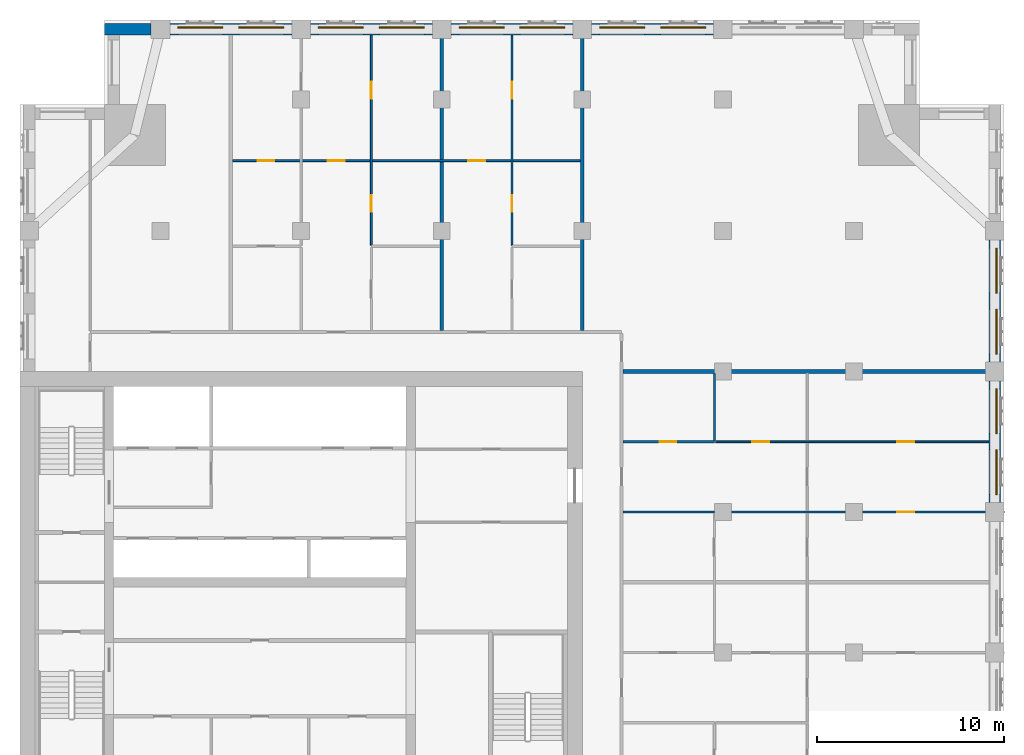
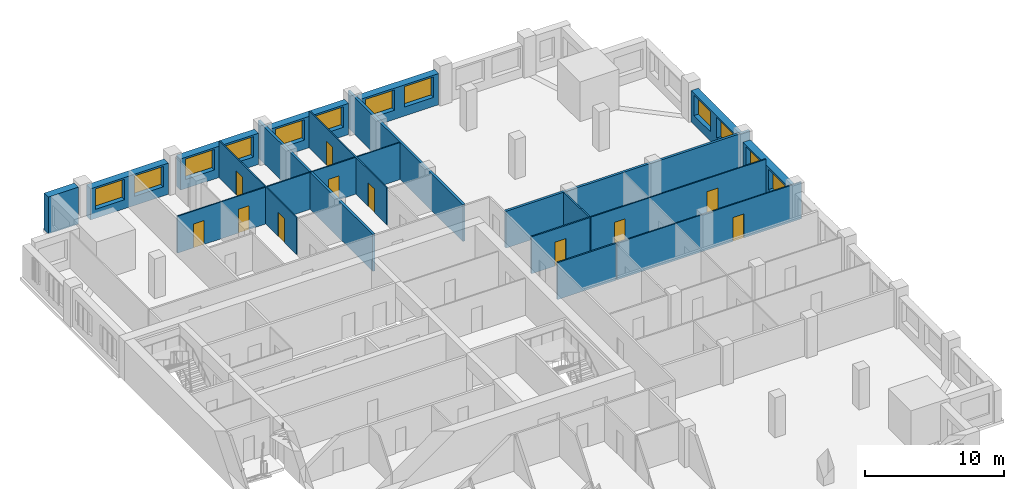
# One storey, part 11 of 14: 18 walls, 12 windows, 11 doors, 23 openings.
"""IFC4 building model written with IfcOpenShell, lengths in metres."""

from ifc_helpers import new_model, si_unit, direction, frame, frame_2d, origin, place, context, subcontext, project, spatial, rectangle, extrude, material, layer, layer_set, type_object, element, fill, save


model = new_model("IFC4")

# Units and contexts
model_context = context("Model", 3, precision=1e-05, world=origin(), true_north=direction((0.0, 1.0)))
body_context = subcontext(model_context, "Body", "Model", "MODEL_VIEW")
ifc_project = project(units=[si_unit("LENGTHUNIT", "METRE"), si_unit("AREAUNIT", "SQUARE_METRE"), si_unit("VOLUMEUNIT", "CUBIC_METRE"), si_unit("PLANEANGLEUNIT", "RADIAN"), si_unit("MASSUNIT", "GRAM", prefix="KILO")], contexts=[model_context])

# Site, building, storey
site_placement = place(None, origin())
site = spatial("IfcSite", under=ifc_project, at=site_placement, CompositionType="ELEMENT")
building_placement = place(site_placement, origin())
building = spatial("IfcBuilding", under=site, at=building_placement, Name="Tamorin Gate", CompositionType="ELEMENT")
storey_placement = place(building_placement, frame((0.0, 0.0, 207.199951171875)))
storey = spatial("IfcBuildingStorey", under=building, at=storey_placement, Name="L51", CompositionType="ELEMENT", Elevation=207.199951171875)

# Wall, openings, windows
ifc_material_1 = material(Name="Precast concrete C40/50", Category="concrete")
ifc_layer_1 = layer(ifc_material_1, 0.60009765625)
ifc_layer_set_1 = layer_set([ifc_layer_1], Name="Precast concrete C40/50")
wall_type_1 = type_object("IfcWallType", Name="Board-marked concrete facade panel 600", PredefinedType="SOLIDWALL", material=ifc_layer_set_1)
wall_1_placement = place(storey_placement, frame((82.0, 75.5, 0.0), z_axis=(0.0, 0.0, 1.0), x_axis=(0.0, 1.0, 0.0)))
wall_1 = element("IfcWall", 1, at=wall_1_placement, inside=storey, type_object=wall_type_1, Name="Facade panel", PredefinedType="SOLIDWALL", context=body_context, shape_type="SweptSolid", body=[
    extrude(rectangle(XDim=6.5, YDim=0.60009765625, at=frame_2d((3.25, 0.0))), origin(), (0.0, 0.0, 1.0), 2.75),
])
opening_1_placement = place(wall_1_placement, frame((0.425048828125, 0.0, 0.800048828125)))
opening_1 = element("IfcOpeningElement", 2, at=opening_1_placement, cuts=wall_1, Name="Opening WN1", PredefinedType="OPENING", context=body_context, shape_type="SweptSolid", body=[
    extrude(rectangle(XDim=2.39990234375, YDim=1.800048828125, at=frame_2d((1.199951171875, 0.89990234375))), frame((0.0, 0.31005859375, 0.0), z_axis=(0.0, -1.0, 0.0), x_axis=(1.0, 0.0, 0.0)), (0.0, 0.0, 1.0), 0.6201171875),
])
opening_2_placement = place(wall_1_placement, frame((3.675048828125, 0.0, 0.800048828125)))
opening_2 = element("IfcOpeningElement", 3, at=opening_2_placement, cuts=wall_1, Name="Opening WN1", PredefinedType="OPENING", context=body_context, shape_type="SweptSolid", body=[
    extrude(rectangle(XDim=2.39990234375, YDim=1.800048828125, at=frame_2d((1.199951171875, 0.89990234375))), frame((0.0, 0.31005859375, 0.0), z_axis=(0.0, -1.0, 0.0), x_axis=(1.0, 0.0, 0.0)), (0.0, 0.0, 1.0), 0.6201171875),
])
ifc_material_2 = material(Name="Clear glass in aluminium frame", Category="aluminium")
window_type = type_object("IfcWindowType", Name="Deep-set window 2400x1800", PartitioningType="SINGLE_PANEL", PredefinedType="WINDOW", material=ifc_material_2)
window_1_placement = place(opening_1_placement, origin())
window_1 = element("IfcWindow", 4, at=window_1_placement, inside=storey, type_object=window_type, Name="Deep-set window", OverallHeight=1.800048828125, OverallWidth=2.39990234375, PartitioningType="SINGLE_PANEL", PredefinedType="WINDOW", context=body_context, shape_type="SweptSolid", body=[
    extrude(rectangle(XDim=2.39990234375, YDim=1.800048828125, at=frame_2d((1.199951171875, 0.89990234375))), frame((0.0, -0.070068359375, 0.0), z_axis=(0.0, -1.0, 0.0), x_axis=(1.0, 0.0, 0.0)), (0.0, 0.0, 1.0), 0.06005859375),
])
fill(opening_1, window_1)
window_2_placement = place(opening_2_placement, origin())
window_2 = element("IfcWindow", 5, at=window_2_placement, inside=storey, type_object=window_type, Name="Deep-set window", OverallHeight=1.800048828125, OverallWidth=2.39990234375, PartitioningType="SINGLE_PANEL", PredefinedType="WINDOW", context=body_context, shape_type="SweptSolid", body=[
    extrude(rectangle(XDim=2.39990234375, YDim=1.800048828125, at=frame_2d((1.199951171875, 0.89990234375))), frame((0.0, -0.070068359375, 0.0), z_axis=(0.0, -1.0, 0.0), x_axis=(1.0, 0.0, 0.0)), (0.0, 0.0, 1.0), 0.06005859375),
])
fill(opening_2, window_2)

wall_2_placement = place(storey_placement, frame((82.0, 83.0, 0.0), z_axis=(0.0, 0.0, 1.0), x_axis=(0.0, 1.0, 0.0)))
wall_2 = element("IfcWall", 6, at=wall_2_placement, inside=storey, type_object=wall_type_1, Name="Facade panel", PredefinedType="SOLIDWALL", context=body_context, shape_type="SweptSolid", body=[
    extrude(rectangle(XDim=6.5, YDim=0.60009765625, at=frame_2d((3.25, 0.0))), origin(), (0.0, 0.0, 1.0), 2.75),
])
opening_3_placement = place(wall_2_placement, frame((0.425048828125, 0.0, 0.800048828125)))
opening_3 = element("IfcOpeningElement", 7, at=opening_3_placement, cuts=wall_2, Name="Opening WN1", PredefinedType="OPENING", context=body_context, shape_type="SweptSolid", body=[
    extrude(rectangle(XDim=2.39990234375, YDim=1.800048828125, at=frame_2d((1.199951171875, 0.89990234375))), frame((0.0, 0.31005859375, 0.0), z_axis=(0.0, -1.0, 0.0), x_axis=(1.0, 0.0, 0.0)), (0.0, 0.0, 1.0), 0.6201171875),
])
opening_4_placement = place(wall_2_placement, frame((3.675048828125, 0.0, 0.800048828125)))
opening_4 = element("IfcOpeningElement", 8, at=opening_4_placement, cuts=wall_2, Name="Opening WN1", PredefinedType="OPENING", context=body_context, shape_type="SweptSolid", body=[
    extrude(rectangle(XDim=2.39990234375, YDim=1.800048828125, at=frame_2d((1.199951171875, 0.89990234375))), frame((0.0, 0.31005859375, 0.0), z_axis=(0.0, -1.0, 0.0), x_axis=(1.0, 0.0, 0.0)), (0.0, 0.0, 1.0), 0.6201171875),
])
window_3_placement = place(opening_3_placement, origin())
window_3 = element("IfcWindow", 9, at=window_3_placement, inside=storey, type_object=window_type, Name="Deep-set window", OverallHeight=1.800048828125, OverallWidth=2.39990234375, PartitioningType="SINGLE_PANEL", PredefinedType="WINDOW", context=body_context, shape_type="SweptSolid", body=[
    extrude(rectangle(XDim=2.39990234375, YDim=1.800048828125, at=frame_2d((1.199951171875, 0.89990234375))), frame((0.0, -0.070068359375, 0.0), z_axis=(0.0, -1.0, 0.0), x_axis=(1.0, 0.0, 0.0)), (0.0, 0.0, 1.0), 0.06005859375),
])
fill(opening_3, window_3)
window_4_placement = place(opening_4_placement, origin())
window_4 = element("IfcWindow", 10, at=window_4_placement, inside=storey, type_object=window_type, Name="Deep-set window", OverallHeight=1.800048828125, OverallWidth=2.39990234375, PartitioningType="SINGLE_PANEL", PredefinedType="WINDOW", context=body_context, shape_type="SweptSolid", body=[
    extrude(rectangle(XDim=2.39990234375, YDim=1.800048828125, at=frame_2d((1.199951171875, 0.89990234375))), frame((0.0, -0.070068359375, 0.0), z_axis=(0.0, -1.0, 0.0), x_axis=(1.0, 0.0, 0.0)), (0.0, 0.0, 1.0), 0.06005859375),
])
fill(opening_4, window_4)

wall_3_placement = place(storey_placement, frame((67.0, 100.75, 0.0), z_axis=(0.0, 0.0, 1.0), x_axis=(-1.0, 0.0, 0.0)))
wall_3 = element("IfcWall", 11, at=wall_3_placement, inside=storey, type_object=wall_type_1, Name="Facade panel", PredefinedType="SOLIDWALL", context=body_context, shape_type="SweptSolid", body=[
    extrude(rectangle(XDim=6.5, YDim=0.60009765625, at=frame_2d((3.25, 0.0))), origin(), (0.0, 0.0, 1.0), 2.75),
])
opening_5_placement = place(wall_3_placement, frame((3.675048828125, 0.0, 0.800048828125)))
opening_5 = element("IfcOpeningElement", 12, at=opening_5_placement, cuts=wall_3, Name="Opening WN1", PredefinedType="OPENING", context=body_context, shape_type="SweptSolid", body=[
    extrude(rectangle(XDim=2.39990234375, YDim=1.800048828125, at=frame_2d((1.199951171875, 0.89990234375))), frame((0.0, 0.31005859375, 0.0), z_axis=(0.0, -1.0, 0.0), x_axis=(1.0, 0.0, 0.0)), (0.0, 0.0, 1.0), 0.6201171875),
])
opening_6_placement = place(wall_3_placement, frame((0.425048828125, 0.0, 0.800048828125)))
opening_6 = element("IfcOpeningElement", 13, at=opening_6_placement, cuts=wall_3, Name="Opening WN1", PredefinedType="OPENING", context=body_context, shape_type="SweptSolid", body=[
    extrude(rectangle(XDim=2.39990234375, YDim=1.800048828125, at=frame_2d((1.199951171875, 0.89990234375))), frame((0.0, 0.31005859375, 0.0), z_axis=(0.0, -1.0, 0.0), x_axis=(1.0, 0.0, 0.0)), (0.0, 0.0, 1.0), 0.6201171875),
])
window_5_placement = place(opening_5_placement, origin())
window_5 = element("IfcWindow", 14, at=window_5_placement, inside=storey, type_object=window_type, Name="Deep-set window", OverallHeight=1.800048828125, OverallWidth=2.39990234375, PartitioningType="SINGLE_PANEL", PredefinedType="WINDOW", context=body_context, shape_type="SweptSolid", body=[
    extrude(rectangle(XDim=2.39990234375, YDim=1.800048828125, at=frame_2d((1.199951171875, 0.89990234375))), frame((0.0, -0.070068359375, 0.0), z_axis=(0.0, -1.0, 0.0), x_axis=(1.0, 0.0, 0.0)), (0.0, 0.0, 1.0), 0.06005859375),
])
fill(opening_5, window_5)
window_6_placement = place(opening_6_placement, origin())
window_6 = element("IfcWindow", 15, at=window_6_placement, inside=storey, type_object=window_type, Name="Deep-set window", OverallHeight=1.800048828125, OverallWidth=2.39990234375, PartitioningType="SINGLE_PANEL", PredefinedType="WINDOW", context=body_context, shape_type="SweptSolid", body=[
    extrude(rectangle(XDim=2.39990234375, YDim=1.800048828125, at=frame_2d((1.199951171875, 0.89990234375))), frame((0.0, -0.070068359375, 0.0), z_axis=(0.0, -1.0, 0.0), x_axis=(1.0, 0.0, 0.0)), (0.0, 0.0, 1.0), 0.06005859375),
])
fill(opening_6, window_6)

wall_4_placement = place(storey_placement, frame((59.5, 100.75, 0.0), z_axis=(0.0, 0.0, 1.0), x_axis=(-1.0, 0.0, 0.0)))
wall_4 = element("IfcWall", 16, at=wall_4_placement, inside=storey, type_object=wall_type_1, Name="Facade panel", PredefinedType="SOLIDWALL", context=body_context, shape_type="SweptSolid", body=[
    extrude(rectangle(XDim=6.5, YDim=0.60009765625, at=frame_2d((3.25, 0.0))), origin(), (0.0, 0.0, 1.0), 2.75),
])
opening_7_placement = place(wall_4_placement, frame((3.675048828125, 0.0, 0.800048828125)))
opening_7 = element("IfcOpeningElement", 17, at=opening_7_placement, cuts=wall_4, Name="Opening WN1", PredefinedType="OPENING", context=body_context, shape_type="SweptSolid", body=[
    extrude(rectangle(XDim=2.39990234375, YDim=1.800048828125, at=frame_2d((1.199951171875, 0.89990234375))), frame((0.0, 0.31005859375, 0.0), z_axis=(0.0, -1.0, 0.0), x_axis=(1.0, 0.0, 0.0)), (0.0, 0.0, 1.0), 0.6201171875),
])
opening_8_placement = place(wall_4_placement, frame((0.425048828125, 0.0, 0.800048828125)))
opening_8 = element("IfcOpeningElement", 18, at=opening_8_placement, cuts=wall_4, Name="Opening WN1", PredefinedType="OPENING", context=body_context, shape_type="SweptSolid", body=[
    extrude(rectangle(XDim=2.39990234375, YDim=1.800048828125, at=frame_2d((1.199951171875, 0.89990234375))), frame((0.0, 0.31005859375, 0.0), z_axis=(0.0, -1.0, 0.0), x_axis=(1.0, 0.0, 0.0)), (0.0, 0.0, 1.0), 0.6201171875),
])
window_7_placement = place(opening_7_placement, origin())
window_7 = element("IfcWindow", 19, at=window_7_placement, inside=storey, type_object=window_type, Name="Deep-set window", OverallHeight=1.800048828125, OverallWidth=2.39990234375, PartitioningType="SINGLE_PANEL", PredefinedType="WINDOW", context=body_context, shape_type="SweptSolid", body=[
    extrude(rectangle(XDim=2.39990234375, YDim=1.800048828125, at=frame_2d((1.199951171875, 0.89990234375))), frame((0.0, -0.070068359375, 0.0), z_axis=(0.0, -1.0, 0.0), x_axis=(1.0, 0.0, 0.0)), (0.0, 0.0, 1.0), 0.06005859375),
])
fill(opening_7, window_7)
window_8_placement = place(opening_8_placement, origin())
window_8 = element("IfcWindow", 20, at=window_8_placement, inside=storey, type_object=window_type, Name="Deep-set window", OverallHeight=1.800048828125, OverallWidth=2.39990234375, PartitioningType="SINGLE_PANEL", PredefinedType="WINDOW", context=body_context, shape_type="SweptSolid", body=[
    extrude(rectangle(XDim=2.39990234375, YDim=1.800048828125, at=frame_2d((1.199951171875, 0.89990234375))), frame((0.0, -0.070068359375, 0.0), z_axis=(0.0, -1.0, 0.0), x_axis=(1.0, 0.0, 0.0)), (0.0, 0.0, 1.0), 0.06005859375),
])
fill(opening_8, window_8)

wall_5_placement = place(storey_placement, frame((52.0, 100.75, 0.0), z_axis=(0.0, 0.0, 1.0), x_axis=(-1.0, 0.0, 0.0)))
wall_5 = element("IfcWall", 21, at=wall_5_placement, inside=storey, type_object=wall_type_1, Name="Facade panel", PredefinedType="SOLIDWALL", context=body_context, shape_type="SweptSolid", body=[
    extrude(rectangle(XDim=6.5, YDim=0.60009765625, at=frame_2d((3.25, 0.0))), origin(), (0.0, 0.0, 1.0), 2.75),
])
opening_9_placement = place(wall_5_placement, frame((3.675048828125, 0.0, 0.800048828125)))
opening_9 = element("IfcOpeningElement", 22, at=opening_9_placement, cuts=wall_5, Name="Opening WN1", PredefinedType="OPENING", context=body_context, shape_type="SweptSolid", body=[
    extrude(rectangle(XDim=2.39990234375, YDim=1.800048828125, at=frame_2d((1.199951171875, 0.89990234375))), frame((0.0, 0.31005859375, 0.0), z_axis=(0.0, -1.0, 0.0), x_axis=(1.0, 0.0, 0.0)), (0.0, 0.0, 1.0), 0.6201171875),
])
opening_10_placement = place(wall_5_placement, frame((0.425048828125, 0.0, 0.800048828125)))
opening_10 = element("IfcOpeningElement", 23, at=opening_10_placement, cuts=wall_5, Name="Opening WN1", PredefinedType="OPENING", context=body_context, shape_type="SweptSolid", body=[
    extrude(rectangle(XDim=2.39990234375, YDim=1.800048828125, at=frame_2d((1.199951171875, 0.89990234375))), frame((0.0, 0.31005859375, 0.0), z_axis=(0.0, -1.0, 0.0), x_axis=(1.0, 0.0, 0.0)), (0.0, 0.0, 1.0), 0.6201171875),
])
window_9_placement = place(opening_9_placement, origin())
window_9 = element("IfcWindow", 24, at=window_9_placement, inside=storey, type_object=window_type, Name="Deep-set window", OverallHeight=1.800048828125, OverallWidth=2.39990234375, PartitioningType="SINGLE_PANEL", PredefinedType="WINDOW", context=body_context, shape_type="SweptSolid", body=[
    extrude(rectangle(XDim=2.39990234375, YDim=1.800048828125, at=frame_2d((1.199951171875, 0.89990234375))), frame((0.0, -0.070068359375, 0.0), z_axis=(0.0, -1.0, 0.0), x_axis=(1.0, 0.0, 0.0)), (0.0, 0.0, 1.0), 0.06005859375),
])
fill(opening_9, window_9)
window_10_placement = place(opening_10_placement, origin())
window_10 = element("IfcWindow", 25, at=window_10_placement, inside=storey, type_object=window_type, Name="Deep-set window", OverallHeight=1.800048828125, OverallWidth=2.39990234375, PartitioningType="SINGLE_PANEL", PredefinedType="WINDOW", context=body_context, shape_type="SweptSolid", body=[
    extrude(rectangle(XDim=2.39990234375, YDim=1.800048828125, at=frame_2d((1.199951171875, 0.89990234375))), frame((0.0, -0.070068359375, 0.0), z_axis=(0.0, -1.0, 0.0), x_axis=(1.0, 0.0, 0.0)), (0.0, 0.0, 1.0), 0.06005859375),
])
fill(opening_10, window_10)

wall_6_placement = place(storey_placement, frame((44.5, 100.75, 0.0), z_axis=(0.0, 0.0, 1.0), x_axis=(-1.0, 0.0, 0.0)))
wall_6 = element("IfcWall", 26, at=wall_6_placement, inside=storey, type_object=wall_type_1, Name="Facade panel", PredefinedType="SOLIDWALL", context=body_context, shape_type="SweptSolid", body=[
    extrude(rectangle(XDim=6.5, YDim=0.60009765625, at=frame_2d((3.25, 0.0))), origin(), (0.0, 0.0, 1.0), 2.75),
])
opening_11_placement = place(wall_6_placement, frame((3.675048828125, 0.0, 0.800048828125)))
opening_11 = element("IfcOpeningElement", 27, at=opening_11_placement, cuts=wall_6, Name="Opening WN1", PredefinedType="OPENING", context=body_context, shape_type="SweptSolid", body=[
    extrude(rectangle(XDim=2.39990234375, YDim=1.800048828125, at=frame_2d((1.199951171875, 0.89990234375))), frame((0.0, 0.31005859375, 0.0), z_axis=(0.0, -1.0, 0.0), x_axis=(1.0, 0.0, 0.0)), (0.0, 0.0, 1.0), 0.6201171875),
])
opening_12_placement = place(wall_6_placement, frame((0.425048828125, 0.0, 0.800048828125)))
opening_12 = element("IfcOpeningElement", 28, at=opening_12_placement, cuts=wall_6, Name="Opening WN1", PredefinedType="OPENING", context=body_context, shape_type="SweptSolid", body=[
    extrude(rectangle(XDim=2.39990234375, YDim=1.800048828125, at=frame_2d((1.199951171875, 0.89990234375))), frame((0.0, 0.31005859375, 0.0), z_axis=(0.0, -1.0, 0.0), x_axis=(1.0, 0.0, 0.0)), (0.0, 0.0, 1.0), 0.6201171875),
])
window_11_placement = place(opening_11_placement, origin())
window_11 = element("IfcWindow", 29, at=window_11_placement, inside=storey, type_object=window_type, Name="Deep-set window", OverallHeight=1.800048828125, OverallWidth=2.39990234375, PartitioningType="SINGLE_PANEL", PredefinedType="WINDOW", context=body_context, shape_type="SweptSolid", body=[
    extrude(rectangle(XDim=2.39990234375, YDim=1.800048828125, at=frame_2d((1.199951171875, 0.89990234375))), frame((0.0, -0.070068359375, 0.0), z_axis=(0.0, -1.0, 0.0), x_axis=(1.0, 0.0, 0.0)), (0.0, 0.0, 1.0), 0.06005859375),
])
fill(opening_11, window_11)
window_12_placement = place(opening_12_placement, origin())
window_12 = element("IfcWindow", 30, at=window_12_placement, inside=storey, type_object=window_type, Name="Deep-set window", OverallHeight=1.800048828125, OverallWidth=2.39990234375, PartitioningType="SINGLE_PANEL", PredefinedType="WINDOW", context=body_context, shape_type="SweptSolid", body=[
    extrude(rectangle(XDim=2.39990234375, YDim=1.800048828125, at=frame_2d((1.199951171875, 0.89990234375))), frame((0.0, -0.070068359375, 0.0), z_axis=(0.0, -1.0, 0.0), x_axis=(1.0, 0.0, 0.0)), (0.0, 0.0, 1.0), 0.06005859375),
])
fill(opening_12, window_12)

# Walls
wall_7_placement = place(storey_placement, frame((37.0, 100.75, 0.0), z_axis=(0.0, 0.0, 1.0), x_axis=(-1.0, 0.0, 0.0)))
element("IfcWall", 31, at=wall_7_placement, inside=storey, type_object=wall_type_1, Name="Facade panel", PredefinedType="SOLIDWALL", context=body_context, shape_type="SweptSolid", body=[
    extrude(rectangle(XDim=2.5, YDim=0.60009765625, at=frame_2d((1.25, 0.0))), origin(), (0.0, 0.0, 1.0), 3.25),
])
ifc_material_3 = material(Name="Gypsum board partition")
ifc_layer_2 = layer(ifc_material_3, 0.199951171875)
ifc_layer_set_2 = layer_set([ifc_layer_2], Name="Demising wall 200")
wall_type_2 = type_object("IfcWallType", Name="Demising wall 200", PredefinedType="PARTITIONING", material=ifc_layer_set_2)
wall_8_placement = place(storey_placement, frame((62.175048828125, 82.5, 0.0), z_axis=(0.0, 0.0, 1.0), x_axis=(1.0, 0.0, 0.0)))
element("IfcWall", 32, at=wall_8_placement, inside=storey, type_object=wall_type_2, Name="Demising wall 200", PredefinedType="PARTITIONING", context=body_context, shape_type="SweptSolid", body=[
    extrude(rectangle(XDim=20.324951171875, YDim=0.199951171875, at=frame_2d((10.16259765625, 0.0))), origin(), (0.0, 0.0, 1.0), 3.25),
])
for number, where, z_axis, x_axis, name in (
    (33, (52.5, 84.675048828125, 0.0), (0.0, 0.0, 1.0), (0.0, 1.0, 0.0), "Demising wall 200"),
    (34, (60.0, 84.675048828125, 0.0), (0.0, 0.0, 1.0), (0.0, 1.0, 0.0), "Demising wall 200"),
):
    element("IfcWall", number, at=place(storey_placement, frame(where, z_axis=z_axis, x_axis=x_axis)), inside=storey, type_object=wall_type_2, Name=name, PredefinedType="PARTITIONING", context=body_context, shape_type="SweptSolid", body=[
        extrude(rectangle(XDim=16.574951171875, YDim=0.199951171875, at=frame_2d((8.28759765625, 0.0))), origin(), (0.0, 0.0, 1.0), 3.25),
    ])

# Wall, opening, door
ifc_layer_3 = layer(ifc_material_3, 0.10009765625)
ifc_layer_set_3 = layer_set([ifc_layer_3], Name="Room partition 100")
wall_type_3 = type_object("IfcWallType", Name="Room partition 100", PredefinedType="PARTITIONING", material=ifc_layer_set_3)
wall_9_placement = place(storey_placement, frame((67.112548828125, 75.0, 0.0), z_axis=(0.0, 0.0, 1.0), x_axis=(1.0, 0.0, 0.0)))
wall_9 = element("IfcWall", 35, at=wall_9_placement, inside=storey, type_object=wall_type_3, Name="Room partition 100", PredefinedType="PARTITIONING", context=body_context, shape_type="SweptSolid", body=[
    extrude(rectangle(XDim=15.387451171875, YDim=0.10009765625, at=frame_2d((7.69384765625, 0.0))), origin(), (0.0, 0.0, 1.0), 3.25),
])
opening_13_placement = place(wall_9_placement, frame((9.6875, 0.0, 0.0)))
opening_13 = element("IfcOpeningElement", 36, at=opening_13_placement, cuts=wall_9, Name="Opening DR1051", PredefinedType="OPENING", context=body_context, shape_type="SweptSolid", body=[
    extrude(rectangle(XDim=0.89990234375, YDim=2.10009765625, at=frame_2d((0.449951171875, 1.050048828125))), frame((0.0, 0.06005859375, 0.0), z_axis=(0.0, -1.0, 0.0), x_axis=(1.0, 0.0, 0.0)), (0.0, 0.0, 1.0), 0.1201171875),
])
ifc_material_4 = material(Name="Timber door leaf", Category="wood")
door_type = type_object("IfcDoorType", Name="Door 900 x 2100", OperationType="NOTDEFINED", PredefinedType="DOOR", material=ifc_material_4)
door_1_placement = place(opening_13_placement, origin())
door_1 = element("IfcDoor", 37, at=door_1_placement, inside=storey, type_object=door_type, Name="Door DR1051", OperationType="SINGLE_SWING_RIGHT", OverallHeight=2.10009765625, OverallWidth=0.89990234375, PredefinedType="DOOR", context=body_context, shape_type="SweptSolid", body=[
    extrude(rectangle(XDim=0.89990234375, YDim=2.10009765625, at=frame_2d((0.449951171875, 1.050048828125))), frame((0.0, 0.02490234375, 0.0), z_axis=(0.0, -1.0, 0.0), x_axis=(1.0, 0.0, 0.0)), (0.0, 0.0, 1.0), 0.050048828125),
])
fill(opening_13, door_1)

# Wall, openings, doors
wall_10_placement = place(storey_placement, frame((67.112548828125, 78.75, 0.0), z_axis=(0.0, 0.0, 1.0), x_axis=(1.0, 0.0, 0.0)))
wall_10 = element("IfcWall", 38, at=wall_10_placement, inside=storey, type_object=wall_type_3, Name="Room partition 100", PredefinedType="PARTITIONING", context=body_context, shape_type="SweptSolid", body=[
    extrude(rectangle(XDim=14.577392578125, YDim=0.10009765625, at=frame_2d((7.28857421875, 0.0))), origin(), (0.0, 0.0, 1.0), 3.25),
])
opening_14_placement = place(wall_10_placement, frame((1.96240234375, 0.0, 0.0)))
opening_14 = element("IfcOpeningElement", 39, at=opening_14_placement, cuts=wall_10, Name="Opening DR1049", PredefinedType="OPENING", context=body_context, shape_type="SweptSolid", body=[
    extrude(rectangle(XDim=0.89990234375, YDim=2.10009765625, at=frame_2d((0.449951171875, 1.050048828125))), frame((0.0, 0.06005859375, 0.0), z_axis=(0.0, -1.0, 0.0), x_axis=(1.0, 0.0, 0.0)), (0.0, 0.0, 1.0), 0.1201171875),
])
opening_15_placement = place(wall_10_placement, frame((9.6875, 0.0, 0.0)))
opening_15 = element("IfcOpeningElement", 40, at=opening_15_placement, cuts=wall_10, Name="Opening DR1052", PredefinedType="OPENING", context=body_context, shape_type="SweptSolid", body=[
    extrude(rectangle(XDim=0.89990234375, YDim=2.10009765625, at=frame_2d((0.449951171875, 1.050048828125))), frame((0.0, 0.06005859375, 0.0), z_axis=(0.0, -1.0, 0.0), x_axis=(1.0, 0.0, 0.0)), (0.0, 0.0, 1.0), 0.1201171875),
])
door_2_placement = place(opening_14_placement, origin())
door_2 = element("IfcDoor", 41, at=door_2_placement, inside=storey, type_object=door_type, Name="Door DR1049", OperationType="SINGLE_SWING_LEFT", OverallHeight=2.10009765625, OverallWidth=0.89990234375, PredefinedType="DOOR", context=body_context, shape_type="SweptSolid", body=[
    extrude(rectangle(XDim=0.89990234375, YDim=2.10009765625, at=frame_2d((0.449951171875, 1.050048828125))), frame((0.0, 0.02490234375, 0.0), z_axis=(0.0, -1.0, 0.0), x_axis=(1.0, 0.0, 0.0)), (0.0, 0.0, 1.0), 0.050048828125),
])
fill(opening_14, door_2)
door_3_placement = place(opening_15_placement, origin())
door_3 = element("IfcDoor", 42, at=door_3_placement, inside=storey, type_object=door_type, Name="Door DR1052", OperationType="SINGLE_SWING_RIGHT", OverallHeight=2.10009765625, OverallWidth=0.89990234375, PredefinedType="DOOR", context=body_context, shape_type="SweptSolid", body=[
    extrude(rectangle(XDim=0.89990234375, YDim=2.10009765625, at=frame_2d((0.449951171875, 1.050048828125))), frame((0.0, 0.02490234375, 0.0), z_axis=(0.0, -1.0, 0.0), x_axis=(1.0, 0.0, 0.0)), (0.0, 0.0, 1.0), 0.050048828125),
])
fill(opening_15, door_3)

wall_11_placement = place(storey_placement, frame((41.35009765625, 93.75, 0.0), z_axis=(0.0, 0.0, 1.0), x_axis=(1.0, 0.0, 0.0)))
wall_11 = element("IfcWall", 43, at=wall_11_placement, inside=storey, type_object=wall_type_3, Name="Room partition 100", PredefinedType="PARTITIONING", context=body_context, shape_type="SweptSolid", body=[
    extrude(rectangle(XDim=18.5498046875, YDim=0.10009765625, at=frame_2d((9.27490234375, 0.0))), origin(), (0.0, 0.0, 1.0), 3.25),
])
opening_16_placement = place(wall_11_placement, frame((1.324951171875, 0.0, 0.0)))
opening_16 = element("IfcOpeningElement", 44, at=opening_16_placement, cuts=wall_11, Name="Opening DR1023", PredefinedType="OPENING", context=body_context, shape_type="SweptSolid", body=[
    extrude(rectangle(XDim=0.89990234375, YDim=2.10009765625, at=frame_2d((0.449951171875, 1.050048828125))), frame((0.0, 0.06005859375, 0.0), z_axis=(0.0, -1.0, 0.0), x_axis=(1.0, 0.0, 0.0)), (0.0, 0.0, 1.0), 0.1201171875),
])
opening_17_placement = place(wall_11_placement, frame((5.074951171875, 0.0, 0.0)))
opening_17 = element("IfcOpeningElement", 45, at=opening_17_placement, cuts=wall_11, Name="Opening DR1026", PredefinedType="OPENING", context=body_context, shape_type="SweptSolid", body=[
    extrude(rectangle(XDim=0.89990234375, YDim=2.10009765625, at=frame_2d((0.449951171875, 1.050048828125))), frame((0.0, 0.06005859375, 0.0), z_axis=(0.0, -1.0, 0.0), x_axis=(1.0, 0.0, 0.0)), (0.0, 0.0, 1.0), 0.1201171875),
])
opening_18_placement = place(wall_11_placement, frame((12.574951171875, 0.0, 0.0)))
opening_18 = element("IfcOpeningElement", 46, at=opening_18_placement, cuts=wall_11, Name="Opening DR1032", PredefinedType="OPENING", context=body_context, shape_type="SweptSolid", body=[
    extrude(rectangle(XDim=0.89990234375, YDim=2.10009765625, at=frame_2d((0.449951171875, 1.050048828125))), frame((0.0, 0.06005859375, 0.0), z_axis=(0.0, -1.0, 0.0), x_axis=(1.0, 0.0, 0.0)), (0.0, 0.0, 1.0), 0.1201171875),
])
door_4_placement = place(opening_16_placement, origin())
door_4 = element("IfcDoor", 47, at=door_4_placement, inside=storey, type_object=door_type, Name="Door DR1023", OperationType="SINGLE_SWING_RIGHT", OverallHeight=2.10009765625, OverallWidth=0.89990234375, PredefinedType="DOOR", context=body_context, shape_type="SweptSolid", body=[
    extrude(rectangle(XDim=0.89990234375, YDim=2.10009765625, at=frame_2d((0.449951171875, 1.050048828125))), frame((0.0, 0.02490234375, 0.0), z_axis=(0.0, -1.0, 0.0), x_axis=(1.0, 0.0, 0.0)), (0.0, 0.0, 1.0), 0.050048828125),
])
fill(opening_16, door_4)
door_5_placement = place(opening_17_placement, origin())
door_5 = element("IfcDoor", 48, at=door_5_placement, inside=storey, type_object=door_type, Name="Door DR1026", OperationType="SINGLE_SWING_RIGHT", OverallHeight=2.10009765625, OverallWidth=0.89990234375, PredefinedType="DOOR", context=body_context, shape_type="SweptSolid", body=[
    extrude(rectangle(XDim=0.89990234375, YDim=2.10009765625, at=frame_2d((0.449951171875, 1.050048828125))), frame((0.0, 0.02490234375, 0.0), z_axis=(0.0, -1.0, 0.0), x_axis=(1.0, 0.0, 0.0)), (0.0, 0.0, 1.0), 0.050048828125),
])
fill(opening_17, door_5)
door_6_placement = place(opening_18_placement, origin())
door_6 = element("IfcDoor", 49, at=door_6_placement, inside=storey, type_object=door_type, Name="Door DR1032", OperationType="SINGLE_SWING_RIGHT", OverallHeight=2.10009765625, OverallWidth=0.89990234375, PredefinedType="DOOR", context=body_context, shape_type="SweptSolid", body=[
    extrude(rectangle(XDim=0.89990234375, YDim=2.10009765625, at=frame_2d((0.449951171875, 1.050048828125))), frame((0.0, 0.02490234375, 0.0), z_axis=(0.0, -1.0, 0.0), x_axis=(1.0, 0.0, 0.0)), (0.0, 0.0, 1.0), 0.050048828125),
])
fill(opening_18, door_6)

wall_12_placement = place(storey_placement, frame((48.75, 89.237548828125, 0.0), z_axis=(0.0, 0.0, 1.0), x_axis=(0.0, 1.0, 0.0)))
wall_12 = element("IfcWall", 50, at=wall_12_placement, inside=storey, type_object=wall_type_3, Name="Room partition 100", PredefinedType="PARTITIONING", context=body_context, shape_type="SweptSolid", body=[
    extrude(rectangle(XDim=11.202392578125, YDim=0.10009765625, at=frame_2d((5.60107421875, 0.0))), origin(), (0.0, 0.0, 1.0), 3.25),
])
opening_19_placement = place(wall_12_placement, frame((1.77490234375, 0.0, 0.0)))
opening_19 = element("IfcOpeningElement", 51, at=opening_19_placement, cuts=wall_12, Name="Opening DR1027", PredefinedType="OPENING", context=body_context, shape_type="SweptSolid", body=[
    extrude(rectangle(XDim=0.89990234375, YDim=2.10009765625, at=frame_2d((0.449951171875, 1.050048828125))), frame((0.0, 0.06005859375, 0.0), z_axis=(0.0, -1.0, 0.0), x_axis=(1.0, 0.0, 0.0)), (0.0, 0.0, 1.0), 0.1201171875),
])
opening_20_placement = place(wall_12_placement, frame((7.8125, 0.0, 0.0)))
opening_20 = element("IfcOpeningElement", 52, at=opening_20_placement, cuts=wall_12, Name="Opening DR1030", PredefinedType="OPENING", context=body_context, shape_type="SweptSolid", body=[
    extrude(rectangle(XDim=0.89990234375, YDim=2.10009765625, at=frame_2d((0.449951171875, 1.050048828125))), frame((0.0, 0.06005859375, 0.0), z_axis=(0.0, -1.0, 0.0), x_axis=(1.0, 0.0, 0.0)), (0.0, 0.0, 1.0), 0.1201171875),
])
door_7_placement = place(opening_19_placement, origin())
door_7 = element("IfcDoor", 53, at=door_7_placement, inside=storey, type_object=door_type, Name="Door DR1027", OperationType="SINGLE_SWING_RIGHT", OverallHeight=2.10009765625, OverallWidth=0.89990234375, PredefinedType="DOOR", context=body_context, shape_type="SweptSolid", body=[
    extrude(rectangle(XDim=0.89990234375, YDim=2.10009765625, at=frame_2d((0.449951171875, 1.050048828125))), frame((0.0, 0.02490234375, 0.0), z_axis=(0.0, -1.0, 0.0), x_axis=(1.0, 0.0, 0.0)), (0.0, 0.0, 1.0), 0.050048828125),
])
fill(opening_19, door_7)
door_8_placement = place(opening_20_placement, origin())
door_8 = element("IfcDoor", 54, at=door_8_placement, inside=storey, type_object=door_type, Name="Door DR1030", OperationType="SINGLE_SWING_LEFT", OverallHeight=2.10009765625, OverallWidth=0.89990234375, PredefinedType="DOOR", context=body_context, shape_type="SweptSolid", body=[
    extrude(rectangle(XDim=0.89990234375, YDim=2.10009765625, at=frame_2d((0.449951171875, 1.050048828125))), frame((0.0, 0.02490234375, 0.0), z_axis=(0.0, -1.0, 0.0), x_axis=(1.0, 0.0, 0.0)), (0.0, 0.0, 1.0), 0.050048828125),
])
fill(opening_20, door_8)

wall_13_placement = place(storey_placement, frame((56.25, 89.237548828125, 0.0), z_axis=(0.0, 0.0, 1.0), x_axis=(0.0, 1.0, 0.0)))
wall_13 = element("IfcWall", 55, at=wall_13_placement, inside=storey, type_object=wall_type_3, Name="Room partition 100", PredefinedType="PARTITIONING", context=body_context, shape_type="SweptSolid", body=[
    extrude(rectangle(XDim=11.202392578125, YDim=0.10009765625, at=frame_2d((5.60107421875, 0.0))), origin(), (0.0, 0.0, 1.0), 3.25),
])
opening_21_placement = place(wall_13_placement, frame((1.77490234375, 0.0, 0.0)))
opening_21 = element("IfcOpeningElement", 56, at=opening_21_placement, cuts=wall_13, Name="Opening DR1033", PredefinedType="OPENING", context=body_context, shape_type="SweptSolid", body=[
    extrude(rectangle(XDim=0.89990234375, YDim=2.10009765625, at=frame_2d((0.449951171875, 1.050048828125))), frame((0.0, 0.06005859375, 0.0), z_axis=(0.0, -1.0, 0.0), x_axis=(1.0, 0.0, 0.0)), (0.0, 0.0, 1.0), 0.1201171875),
])
opening_22_placement = place(wall_13_placement, frame((7.8125, 0.0, 0.0)))
opening_22 = element("IfcOpeningElement", 57, at=opening_22_placement, cuts=wall_13, Name="Opening DR1035", PredefinedType="OPENING", context=body_context, shape_type="SweptSolid", body=[
    extrude(rectangle(XDim=0.89990234375, YDim=2.10009765625, at=frame_2d((0.449951171875, 1.050048828125))), frame((0.0, 0.06005859375, 0.0), z_axis=(0.0, -1.0, 0.0), x_axis=(1.0, 0.0, 0.0)), (0.0, 0.0, 1.0), 0.1201171875),
])
door_9_placement = place(opening_21_placement, origin())
door_9 = element("IfcDoor", 58, at=door_9_placement, inside=storey, type_object=door_type, Name="Door DR1033", OperationType="SINGLE_SWING_RIGHT", OverallHeight=2.10009765625, OverallWidth=0.89990234375, PredefinedType="DOOR", context=body_context, shape_type="SweptSolid", body=[
    extrude(rectangle(XDim=0.89990234375, YDim=2.10009765625, at=frame_2d((0.449951171875, 1.050048828125))), frame((0.0, 0.02490234375, 0.0), z_axis=(0.0, -1.0, 0.0), x_axis=(1.0, 0.0, 0.0)), (0.0, 0.0, 1.0), 0.050048828125),
])
fill(opening_21, door_9)
door_10_placement = place(opening_22_placement, origin())
door_10 = element("IfcDoor", 59, at=door_10_placement, inside=storey, type_object=door_type, Name="Door DR1035", OperationType="SINGLE_SWING_LEFT", OverallHeight=2.10009765625, OverallWidth=0.89990234375, PredefinedType="DOOR", context=body_context, shape_type="SweptSolid", body=[
    extrude(rectangle(XDim=0.89990234375, YDim=2.10009765625, at=frame_2d((0.449951171875, 1.050048828125))), frame((0.0, 0.02490234375, 0.0), z_axis=(0.0, -1.0, 0.0), x_axis=(1.0, 0.0, 0.0)), (0.0, 0.0, 1.0), 0.050048828125),
])
fill(opening_22, door_10)

# Wall
ifc_layer_4 = layer(ifc_material_3, 0.125)
ifc_layer_set_4 = layer_set([ifc_layer_4], Name="Wet wall 125")
wall_type_4 = type_object("IfcWallType", Name="Wet wall 125", PredefinedType="PARTITIONING", material=ifc_layer_set_4)
wall_14_placement = place(storey_placement, frame((62.175048828125, 75.0, 0.0), z_axis=(0.0, 0.0, 1.0), x_axis=(1.0, 0.0, 0.0)))
element("IfcWall", 60, at=wall_14_placement, inside=storey, type_object=wall_type_4, Name="Wet wall 125", PredefinedType="PARTITIONING", context=body_context, shape_type="SweptSolid", body=[
    extrude(rectangle(XDim=4.875, YDim=0.125, at=frame_2d((2.4375, 0.0))), origin(), (0.0, 0.0, 1.0), 3.25),
])

# Wall, opening, door
wall_15_placement = place(storey_placement, frame((62.175048828125, 78.75, 0.0), z_axis=(0.0, 0.0, 1.0), x_axis=(1.0, 0.0, 0.0)))
wall_15 = element("IfcWall", 61, at=wall_15_placement, inside=storey, type_object=wall_type_4, Name="Wet wall 125", PredefinedType="PARTITIONING", context=body_context, shape_type="SweptSolid", body=[
    extrude(rectangle(XDim=4.875, YDim=0.125, at=frame_2d((2.4375, 0.0))), origin(), (0.0, 0.0, 1.0), 3.25),
])
opening_23_placement = place(wall_15_placement, frame((1.949951171875, 0.0, 0.0)))
opening_23 = element("IfcOpeningElement", 62, at=opening_23_placement, cuts=wall_15, Name="Opening DR1050", PredefinedType="OPENING", context=body_context, shape_type="SweptSolid", body=[
    extrude(rectangle(XDim=0.89990234375, YDim=2.10009765625, at=frame_2d((0.449951171875, 1.050048828125))), frame((0.0, 0.072509765625, 0.0), z_axis=(0.0, -1.0, 0.0), x_axis=(1.0, 0.0, 0.0)), (0.0, 0.0, 1.0), 0.14501953125),
])
door_11_placement = place(opening_23_placement, origin())
door_11 = element("IfcDoor", 63, at=door_11_placement, inside=storey, type_object=door_type, Name="Door DR1050", OperationType="SINGLE_SWING_RIGHT", OverallHeight=2.10009765625, OverallWidth=0.89990234375, PredefinedType="DOOR", context=body_context, shape_type="SweptSolid", body=[
    extrude(rectangle(XDim=0.89990234375, YDim=2.10009765625, at=frame_2d((0.449951171875, 1.050048828125))), frame((0.0, 0.02490234375, 0.0), z_axis=(0.0, -1.0, 0.0), x_axis=(1.0, 0.0, 0.0)), (0.0, 0.0, 1.0), 0.050048828125),
])
fill(opening_23, door_11)

# Wall
wall_16_placement = place(storey_placement, frame((67.050048828125, 78.8125, 0.0), z_axis=(0.0, 0.0, 1.0), x_axis=(0.0, 1.0, 0.0)))
element("IfcWall", 64, at=wall_16_placement, inside=storey, type_object=wall_type_4, Name="Wet wall 125", PredefinedType="PARTITIONING", context=body_context, shape_type="SweptSolid", body=[
    extrude(rectangle(XDim=3.58740234375, YDim=0.125, at=frame_2d((1.793701171875, 0.0))), origin(), (0.0, 0.0, 1.0), 3.25),
])

save(model, "model.ifc")
